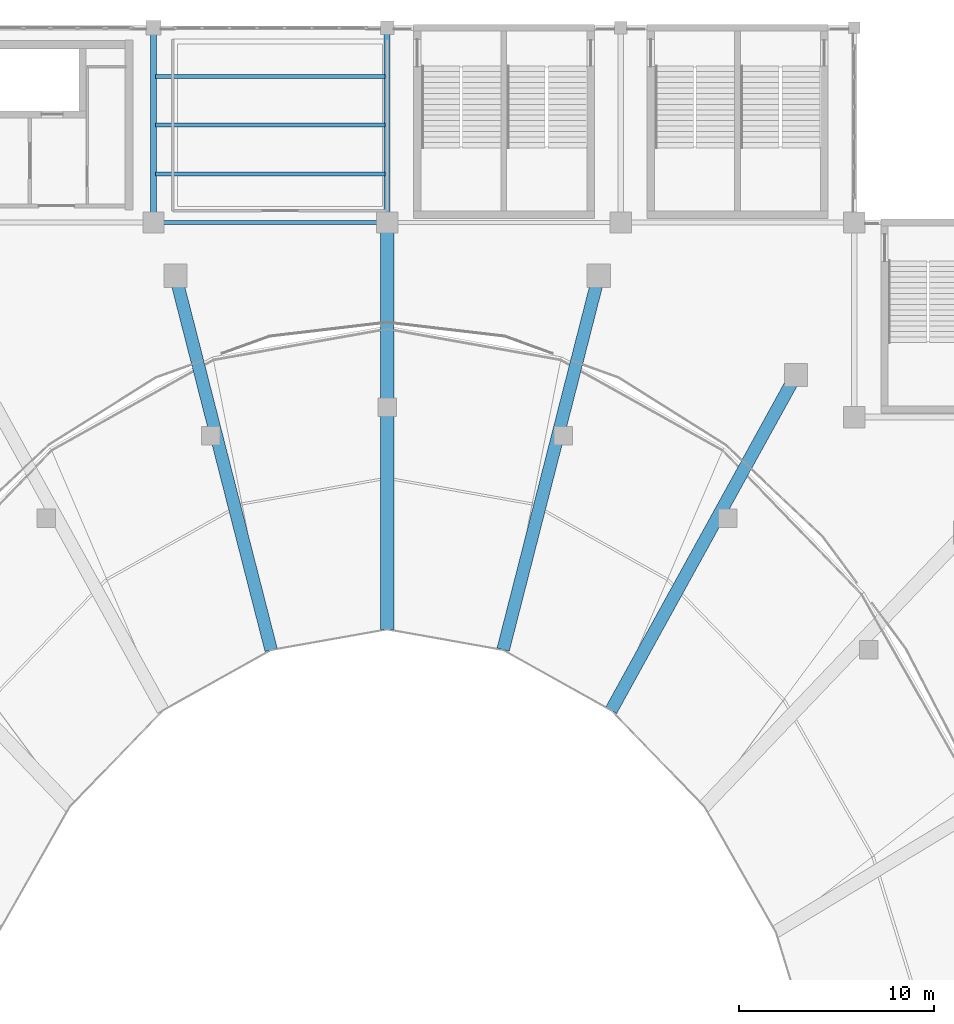
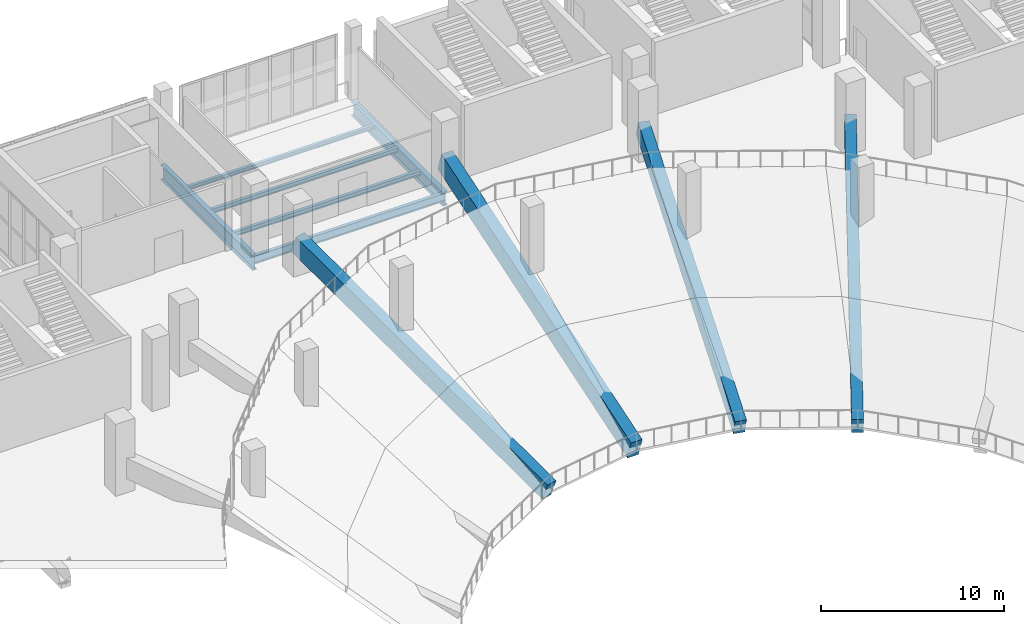
# One storey, part 53 of 136: 10 beams.
"""IFC4 building model written with IfcOpenShell, lengths in metres."""

from ifc_helpers import new_model, si_unit, direction, frame, origin, origin_2d, place, context, subcontext, project, spatial, rectangle, i_section, extrude, material, material_profile, profile_set, type_object, element, save


model = new_model("IFC4")

# Units and contexts
model_context = context("Model", 3, precision=1e-05, world=origin(), true_north=direction((0.0, 1.0)))
body_context = subcontext(model_context, "Body", "Model", "MODEL_VIEW")
ifc_project = project(units=[si_unit("LENGTHUNIT", "METRE"), si_unit("AREAUNIT", "SQUARE_METRE"), si_unit("VOLUMEUNIT", "CUBIC_METRE"), si_unit("PLANEANGLEUNIT", "RADIAN"), si_unit("MASSUNIT", "GRAM", prefix="KILO")], contexts=[model_context])

# Site, building, storey
site_placement = place(None, origin())
site = spatial("IfcSite", under=ifc_project, at=site_placement, CompositionType="ELEMENT")
building_placement = place(site_placement, origin())
building = spatial("IfcBuilding", under=site, at=building_placement, Name="Brinegate Civic Arena", CompositionType="ELEMENT")
storey_placement = place(building_placement, frame((0.0, 0.0, 5.39990234375)))
storey = spatial("IfcBuildingStorey", under=building, at=storey_placement, Name="L01", CompositionType="ELEMENT", Elevation=5.39990234375)

# Beams
ifc_material_1 = material(Name="Steel S355", Category="steel")
ifc_material_profile_1 = material_profile(ifc_material_1, i_section(OverallWidth=0.300048828125, OverallDepth=1.0, WebThickness=0.01904296875, FlangeThickness=0.031982421875, FilletRadius=0.02392578125, at=origin_2d()), Name="W1000X321")
ifc_profile_set_1 = profile_set([ifc_material_profile_1], Name="Steel S355")
beam_type_1 = type_object("IfcBeamType", Name="GIRDER-W1000X321", PredefinedType="BEAM", material=ifc_profile_set_1)
beam_1_placement = place(storey_placement, frame((96.0, 114.0, -0.83984375), z_axis=(0.0, 1.0, 0.0), x_axis=(-1.0, 0.0, 0.0)))
element("IfcBeam", 1, at=beam_1_placement, inside=storey, type_object=beam_type_1, Name="Floor Girder BM-L01-GY-08-11", PredefinedType="BEAM", context=body_context, shape_type="SweptSolid", body=[
    extrude(i_section(OverallWidth=0.300048828125, OverallDepth=1.0, WebThickness=0.01904296875, FlangeThickness=0.031982421875, FilletRadius=0.02392578125, at=origin_2d()), origin(), (0.0, 0.0, 1.0), 10.0),
])
ifc_material_profile_2 = material_profile(ifc_material_1, i_section(OverallWidth=0.30810546875, OverallDepth=0.927001953125, WebThickness=0.01904296875, FlangeThickness=0.031982421875, FilletRadius=0.02392578125, at=origin_2d()), Name="W920X289")
ifc_profile_set_2 = profile_set([ifc_material_profile_2], Name="Steel S355")
beam_type_2 = type_object("IfcBeamType", Name="GIRDER-W920X289", PredefinedType="BEAM", material=ifc_profile_set_2)
beam_2_placement = place(storey_placement, frame((108.0, 114.0, -0.802978515625), z_axis=(0.0, 1.0, 0.0), x_axis=(-1.0, 0.0, 0.0)))
element("IfcBeam", 2, at=beam_2_placement, inside=storey, type_object=beam_type_2, Name="Floor Girder BM-L01-GY-09-11", PredefinedType="BEAM", context=body_context, shape_type="SweptSolid", body=[
    extrude(i_section(OverallWidth=0.30810546875, OverallDepth=0.927001953125, WebThickness=0.01904296875, FlangeThickness=0.031982421875, FilletRadius=0.02392578125, at=origin_2d()), origin(), (0.0, 0.0, 1.0), 10.0),
])
ifc_material_profile_3 = material_profile(ifc_material_1, i_section(OverallWidth=0.202880859375, OverallDepth=0.251953125, WebThickness=0.008056640625, FlangeThickness=0.013916015625, FilletRadius=0.011962890625, at=origin_2d()), Name="W250X58")
ifc_profile_set_3 = profile_set([ifc_material_profile_3], Name="Steel S355")
beam_type_3 = type_object("IfcBeamType", Name="JOIST-W250X58", PredefinedType="JOIST", material=ifc_profile_set_3)
beam_3_placement = place(storey_placement, frame((96.10595703125, 121.5, -0.4658203125), z_axis=(1.0, 0.0, 0.0), x_axis=(0.0, 1.0, 0.0)))
element("IfcBeam", 3, at=beam_3_placement, inside=storey, type_object=beam_type_3, Name="Secondary Joist BM-L01-JX-08-11-3", PredefinedType="JOIST", context=body_context, shape_type="SweptSolid", body=[
    extrude(i_section(OverallWidth=0.202880859375, OverallDepth=0.251953125, WebThickness=0.008056640625, FlangeThickness=0.013916015625, FilletRadius=0.011962890625, at=origin_2d()), origin(), (0.0, 0.0, 1.0), 11.7880859375),
])
ifc_material_profile_4 = material_profile(ifc_material_1, i_section(OverallWidth=0.202880859375, OverallDepth=0.302978515625, WebThickness=0.008056640625, FlangeThickness=0.012939453125, FilletRadius=0.012939453125, at=origin_2d()), Name="W310X60")
ifc_profile_set_4 = profile_set([ifc_material_profile_4], Name="Steel S355")
beam_type_4 = type_object("IfcBeamType", Name="JOIST-W310X60", PredefinedType="JOIST", material=ifc_profile_set_4)
beam_4_placement = place(storey_placement, frame((96.10595703125, 119.0, -0.490966796875), z_axis=(1.0, 0.0, 0.0), x_axis=(0.0, 1.0, 0.0)))
element("IfcBeam", 4, at=beam_4_placement, inside=storey, type_object=beam_type_4, Name="Secondary Joist BM-L01-JX-08-11-2", PredefinedType="JOIST", context=body_context, shape_type="SweptSolid", body=[
    extrude(i_section(OverallWidth=0.202880859375, OverallDepth=0.302978515625, WebThickness=0.008056640625, FlangeThickness=0.012939453125, FilletRadius=0.012939453125, at=origin_2d()), origin(), (0.0, 0.0, 1.0), 11.7880859375),
])
ifc_material_profile_5 = material_profile(ifc_material_1, i_section(OverallWidth=0.205078125, OverallDepth=0.31005859375, WebThickness=0.009033203125, FlangeThickness=0.01611328125, FilletRadius=0.012939453125, at=origin_2d()), Name="W310X74")
ifc_profile_set_5 = profile_set([ifc_material_profile_5], Name="Steel S355")
beam_type_5 = type_object("IfcBeamType", Name="JOIST-W310X74", PredefinedType="JOIST", material=ifc_profile_set_5)
beam_5_placement = place(storey_placement, frame((96.10595703125, 116.5, -0.494873046875), z_axis=(1.0, 0.0, 0.0), x_axis=(0.0, 1.0, 0.0)))
element("IfcBeam", 5, at=beam_5_placement, inside=storey, type_object=beam_type_5, Name="Secondary Joist BM-L01-JX-08-11-1", PredefinedType="JOIST", context=body_context, shape_type="SweptSolid", body=[
    extrude(i_section(OverallWidth=0.205078125, OverallDepth=0.31005859375, WebThickness=0.009033203125, FlangeThickness=0.01611328125, FilletRadius=0.012939453125, at=origin_2d()), origin(), (0.0, 0.0, 1.0), 11.7880859375),
])
ifc_material_2 = material(Name="Concrete C50/60", Category="concrete")
ifc_material_profile_6 = material_profile(ifc_material_2, rectangle(XDim=0.64990234375, YDim=1.10009765625, at=origin_2d()), Name="RKR650X1100")
ifc_profile_set_6 = profile_set([ifc_material_profile_6], Name="Concrete C50/60")
beam_type_6 = type_object("IfcBeamType", Name="RAKER-RKR650X1100", PredefinedType="USERDEFINED", material=ifc_profile_set_6)
beam_6_placement = place(storey_placement, frame((114.0048828125, 92.23291015625, -4.89990234375), z_axis=(0.234441304423, 0.916953963801, 0.322850899101), x_axis=(-0.968835247704, 0.247706000747, 0.0)))
element("IfcBeam", 6, at=beam_6_placement, inside=storey, type_object=beam_type_6, Name="Lower Bowl Raker Girder RKR-LWR-06", ObjectType="RAKER GIRDER", PredefinedType="USERDEFINED", context=body_context, shape_type="SweptSolid", body=[
    extrude(rectangle(XDim=0.64990234375, YDim=1.10009765625, at=origin_2d()), origin(), (0.0, 0.0, 1.0), 20.75244140625),
])
ifc_material_profile_7 = material_profile(ifc_material_2, rectangle(XDim=0.64990234375, YDim=1.199951171875, at=origin_2d()), Name="RKR650X1200")
ifc_profile_set_7 = profile_set([ifc_material_profile_7], Name="Concrete C50/60")
beam_type_7 = type_object("IfcBeamType", Name="RAKER-RKR650X1200", PredefinedType="USERDEFINED", material=ifc_profile_set_7)
beam_7_placement = place(storey_placement, frame((119.60009765625, 89.10693359375, -4.89990234375), z_axis=(0.456341906556, 0.828223462322, 0.325265984666), x_axis=(-0.875849933393, 0.482583561858, 0.0)))
element("IfcBeam", 7, at=beam_7_placement, inside=storey, type_object=beam_type_7, Name="Lower Bowl Raker Girder RKR-LWR-05", ObjectType="RAKER GIRDER", PredefinedType="USERDEFINED", context=body_context, shape_type="SweptSolid", body=[
    extrude(rectangle(XDim=0.64990234375, YDim=1.199951171875, at=origin_2d()), origin(), (0.0, 0.0, 1.0), 20.598388671875),
])
beam_8_placement = place(storey_placement, frame((101.9951171875, 92.23291015625, -4.89990234375), z_axis=(-0.234441304423, 0.916953963801, 0.322850899101), x_axis=(-0.968835247704, -0.247706000747, 0.0)))
element("IfcBeam", 8, at=beam_8_placement, inside=storey, type_object=beam_type_7, Name="Lower Bowl Raker Girder RKR-LWR-08", ObjectType="RAKER GIRDER", PredefinedType="USERDEFINED", context=body_context, shape_type="SweptSolid", body=[
    extrude(rectangle(XDim=0.64990234375, YDim=1.199951171875, at=origin_2d()), origin(), (0.0, 0.0, 1.0), 20.75244140625),
])
ifc_material_profile_8 = material_profile(ifc_material_2, rectangle(XDim=0.699951171875, YDim=1.300048828125, at=origin_2d()), Name="RKR700X1300")
ifc_profile_set_8 = profile_set([ifc_material_profile_8], Name="Concrete C50/60")
beam_type_8 = type_object("IfcBeamType", Name="RAKER-RKR700X1300", PredefinedType="USERDEFINED", material=ifc_profile_set_8)
beam_9_placement = place(storey_placement, frame((108.0, 93.300048828125, -4.89990234375), z_axis=(0.0, 0.951405364343, 0.307941281254), x_axis=(-1.0, 0.0, 0.0)))
element("IfcBeam", 9, at=beam_9_placement, inside=storey, type_object=beam_type_8, Name="Lower Bowl Raker Girder RKR-LWR-07", ObjectType="RAKER GIRDER", PredefinedType="USERDEFINED", context=body_context, shape_type="SweptSolid", body=[
    extrude(rectangle(XDim=0.699951171875, YDim=1.300048828125, at=origin_2d()), origin(), (0.0, 0.0, 1.0), 21.75732421875),
])
ifc_material_profile_9 = material_profile(ifc_material_1, i_section(OverallWidth=0.2119140625, OverallDepth=0.5439453125, WebThickness=0.012939453125, FlangeThickness=0.02099609375, FilletRadius=0.01611328125, at=origin_2d()), Name="W530X123")
ifc_profile_set_9 = profile_set([ifc_material_profile_9], Name="Steel S355")
beam_type_9 = type_object("IfcBeamType", Name="SPANDREL-W530X123", PredefinedType="SPANDREL", material=ifc_profile_set_9)
beam_10_placement = place(storey_placement, frame((96.0, 114.0, -0.61181640625), z_axis=(1.0, 0.0, 0.0), x_axis=(0.0, 1.0, 0.0)))
element("IfcBeam", 10, at=beam_10_placement, inside=storey, type_object=beam_type_9, Name="Floor Girder BM-L01-GX-08-11", PredefinedType="SPANDREL", context=body_context, shape_type="SweptSolid", body=[
    extrude(i_section(OverallWidth=0.2119140625, OverallDepth=0.5439453125, WebThickness=0.012939453125, FlangeThickness=0.02099609375, FilletRadius=0.01611328125, at=origin_2d()), origin(), (0.0, 0.0, 1.0), 12.0),
])

save(model, "model.ifc")
